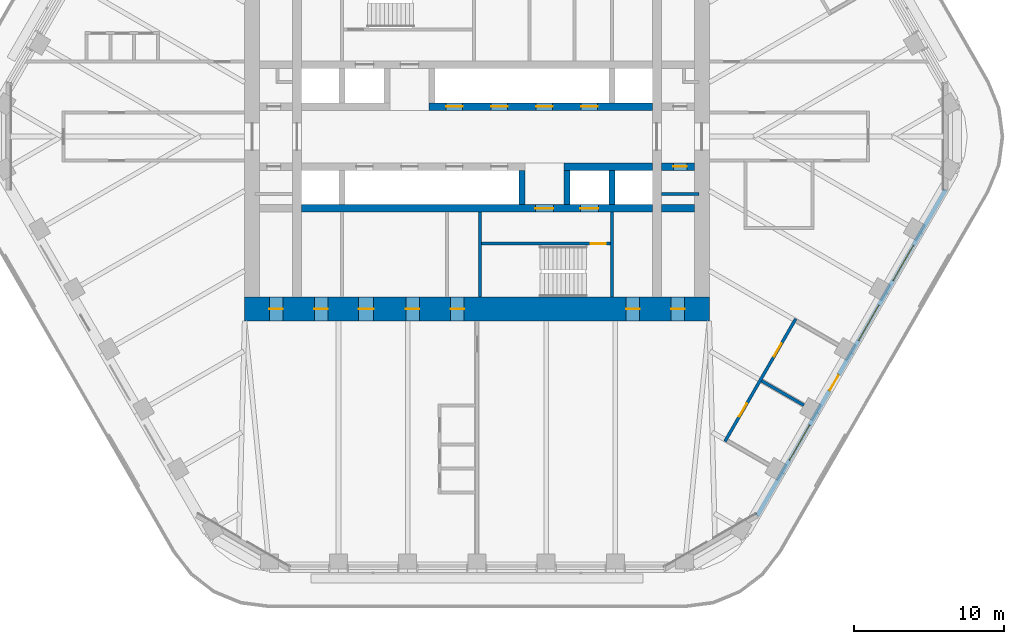
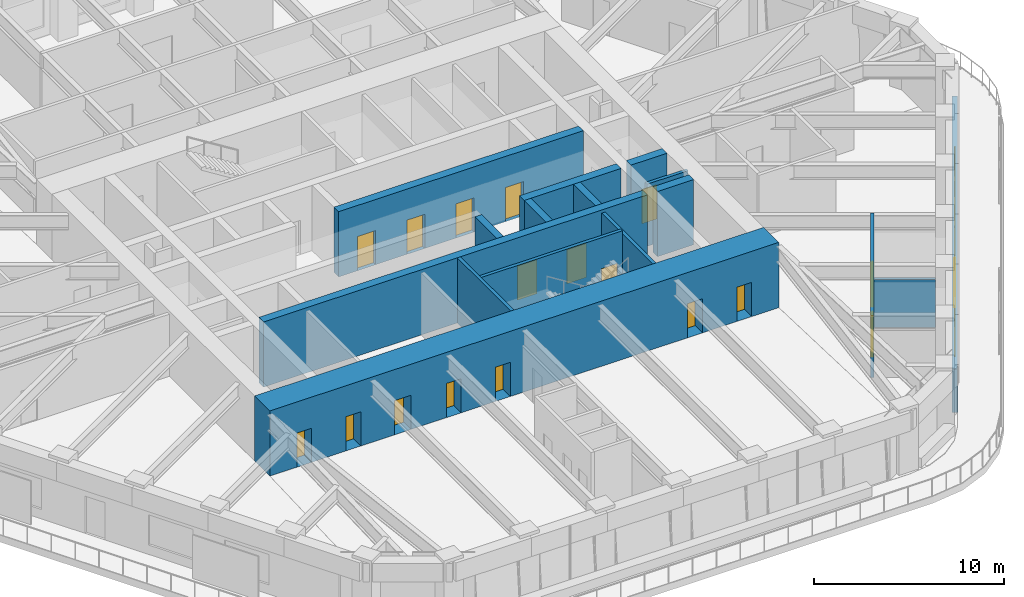
# One storey, part 15 of 20: 18 doors, 16 walls, 3 windows, 21 openings.
"""IFC4 building model written with IfcOpenShell, lengths in metres."""

from ifc_helpers import new_model, si_unit, direction, frame, frame_2d, origin, place, context, subcontext, project, spatial, rectangle, extrude, material, layer, layer_set, type_object, element, fill, save


model = new_model("IFC4")

# Units and contexts
model_context = context("Model", 3, precision=1e-05, world=origin(), true_north=direction((0.0, 1.0)))
body_context = subcontext(model_context, "Body", "Model", "MODEL_VIEW")
ifc_project = project(units=[si_unit("LENGTHUNIT", "METRE"), si_unit("AREAUNIT", "SQUARE_METRE"), si_unit("VOLUMEUNIT", "CUBIC_METRE"), si_unit("PLANEANGLEUNIT", "RADIAN"), si_unit("MASSUNIT", "GRAM", prefix="KILO")], contexts=[model_context])

# Site, building, storey
site_placement = place(None, origin())
site = spatial("IfcSite", under=ifc_project, at=site_placement, CompositionType="ELEMENT")
building_placement = place(site_placement, origin())
building = spatial("IfcBuilding", under=site, at=building_placement, Name="Tarfa Lantern Tower", CompositionType="ELEMENT")
storey_placement = place(building_placement, frame((0.0, 0.0, 274.300048828125)))
storey = spatial("IfcBuildingStorey", under=building, at=storey_placement, Name="L62", CompositionType="ELEMENT", Elevation=274.300048828125)

# Wall, openings, door, windows
ifc_material_1 = material(Name="Limestone cladding on blockwork", Category="masonry")
ifc_layer_1 = layer(ifc_material_1, 0.300048828125)
ifc_layer_set_1 = layer_set([ifc_layer_1], Name="EW1 STONE-CLAD WALL 300")
wall_type_1 = type_object("IfcWallType", Name="EW1 STONE-CLAD WALL 300", PredefinedType="SOLIDWALL", material=ifc_layer_set_1)
wall_1_placement = place(storey_placement, frame((18.70654296875, -25.299072265625, 0.0), z_axis=(0.0, 0.0, 1.0), x_axis=(0.500000442367, 0.866025148383, 0.0)))
wall_1 = element("IfcWall", 1, at=wall_1_placement, inside=storey, type_object=wall_type_1, Name="Stone wall SE", PredefinedType="SOLIDWALL", context=body_context, shape_type="SweptSolid", body=[
    extrude(rectangle(XDim=25.11279296875, YDim=0.300048828125, at=frame_2d((12.556396484375, 0.0))), origin(), (0.0, 0.0, 1.0), 2.800048828125),
])
opening_1_placement = place(wall_1_placement, frame((4.2783203125, 0.0, 0.60009765625)))
opening_1 = element("IfcOpeningElement", 2, at=opening_1_placement, cuts=wall_1, Name="Opening W14", PredefinedType="OPENING", context=body_context, shape_type="SweptSolid", body=[
    extrude(rectangle(XDim=2.699951171875, YDim=1.949951171875, at=frame_2d((1.35009765625, 0.97509765625))), frame((0.0, 0.159912109375, 0.0), z_axis=(0.0, -1.0, 0.0), x_axis=(1.0, 0.0, 0.0)), (0.0, 0.0, 1.0), 0.320068359375),
])
opening_2_placement = place(wall_1_placement, frame((9.64697265625, 0.0, 0.0)))
opening_2 = element("IfcOpeningElement", 3, at=opening_2_placement, cuts=wall_1, Name="Opening D51", PredefinedType="OPENING", context=body_context, shape_type="SweptSolid", body=[
    extrude(rectangle(XDim=1.199951171875, YDim=2.39990234375, at=frame_2d((0.60009765625, 1.199951171875))), frame((0.0, 0.159912109375, 0.0), z_axis=(0.0, -1.0, 0.0), x_axis=(1.0, 0.0, 0.0)), (0.0, 0.0, 1.0), 0.320068359375),
])
opening_3_placement = place(wall_1_placement, frame((13.515869140625, 0.0, 0.60009765625)))
opening_3 = element("IfcOpeningElement", 4, at=opening_3_placement, cuts=wall_1, Name="Opening W14", PredefinedType="OPENING", context=body_context, shape_type="SweptSolid", body=[
    extrude(rectangle(XDim=2.699951171875, YDim=1.949951171875, at=frame_2d((1.35009765625, 0.97509765625))), frame((0.0, 0.159912109375, 0.0), z_axis=(0.0, -1.0, 0.0), x_axis=(1.0, 0.0, 0.0)), (0.0, 0.0, 1.0), 0.320068359375),
])
opening_4_placement = place(wall_1_placement, frame((18.134521484375, 0.0, 0.60009765625)))
opening_4 = element("IfcOpeningElement", 5, at=opening_4_placement, cuts=wall_1, Name="Opening W14", PredefinedType="OPENING", context=body_context, shape_type="SweptSolid", body=[
    extrude(rectangle(XDim=2.699951171875, YDim=1.949951171875, at=frame_2d((1.35009765625, 0.97509765625))), frame((0.0, 0.159912109375, 0.0), z_axis=(0.0, -1.0, 0.0), x_axis=(1.0, 0.0, 0.0)), (0.0, 0.0, 1.0), 0.320068359375),
])
ifc_material_2 = material(Name="Aluminium framed glazed door", Category="aluminium")
door_type_1 = type_object("IfcDoorType", Name="BE3 BALCONY DOOR 1200x2400", OperationType="SINGLE_SWING_RIGHT", PredefinedType="DOOR", material=ifc_material_2)
door_1_placement = place(opening_2_placement, origin())
door_1 = element("IfcDoor", 6, at=door_1_placement, inside=storey, type_object=door_type_1, Name="Balcony door SE", OperationType="SINGLE_SWING_RIGHT", OverallHeight=2.39990234375, OverallWidth=1.199951171875, PredefinedType="DOOR", context=body_context, shape_type="SweptSolid", body=[
    extrude(rectangle(XDim=1.199951171875, YDim=2.39990234375, at=frame_2d((0.60009765625, 1.199951171875))), frame((0.0, 0.02490234375, 0.0), z_axis=(0.0, -1.0, 0.0), x_axis=(1.0, 0.0, 0.0)), (0.0, 0.0, 1.0), 0.050048828125),
])
fill(opening_2, door_1)
ifc_material_3 = material(Name="Aluminium frame, double glazed", Category="aluminium")
window_type = type_object("IfcWindowType", Name="W14 FULL-HEIGHT GLAZING 2700x1950", PartitioningType="SINGLE_PANEL", PredefinedType="WINDOW", material=ifc_material_3)
window_1_placement = place(opening_1_placement, origin())
window_1 = element("IfcWindow", 7, at=window_1_placement, inside=storey, type_object=window_type, Name="Window SE 2", OverallHeight=1.949951171875, OverallWidth=2.699951171875, PartitioningType="SINGLE_PANEL", PredefinedType="WINDOW", context=body_context, shape_type="SweptSolid", body=[
    extrude(rectangle(XDim=2.699951171875, YDim=1.949951171875, at=frame_2d((1.35009765625, 0.97509765625))), frame((0.0, 0.030029296875, 0.0), z_axis=(0.0, -1.0, 0.0), x_axis=(1.0, 0.0, 0.0)), (0.0, 0.0, 1.0), 0.06005859375),
])
fill(opening_1, window_1)
window_2_placement = place(opening_3_placement, origin())
window_2 = element("IfcWindow", 8, at=window_2_placement, inside=storey, type_object=window_type, Name="Window SE 4", OverallHeight=1.949951171875, OverallWidth=2.699951171875, PartitioningType="SINGLE_PANEL", PredefinedType="WINDOW", context=body_context, shape_type="SweptSolid", body=[
    extrude(rectangle(XDim=2.699951171875, YDim=1.949951171875, at=frame_2d((1.35009765625, 0.97509765625))), frame((0.0, 0.030029296875, 0.0), z_axis=(0.0, -1.0, 0.0), x_axis=(1.0, 0.0, 0.0)), (0.0, 0.0, 1.0), 0.06005859375),
])
fill(opening_3, window_2)
window_3_placement = place(opening_4_placement, origin())
window_3 = element("IfcWindow", 9, at=window_3_placement, inside=storey, type_object=window_type, Name="Window SE 5", OverallHeight=1.949951171875, OverallWidth=2.699951171875, PartitioningType="SINGLE_PANEL", PredefinedType="WINDOW", context=body_context, shape_type="SweptSolid", body=[
    extrude(rectangle(XDim=2.699951171875, YDim=1.949951171875, at=frame_2d((1.35009765625, 0.97509765625))), frame((0.0, 0.030029296875, 0.0), z_axis=(0.0, -1.0, 0.0), x_axis=(1.0, 0.0, 0.0)), (0.0, 0.0, 1.0), 0.06005859375),
])
fill(opening_4, window_3)

# Walls
ifc_material_4 = material(Name="Concrete blockwork", Category="masonry")
ifc_layer_2 = layer(ifc_material_4, 0.199951171875)
ifc_layer_set_2 = layer_set([ifc_layer_2], Name="IW1 BLOCKWORK PARTITION 200 EI 120")
wall_type_2 = type_object("IfcWallType", Name="IW1 BLOCKWORK PARTITION 200 EI 120", PredefinedType="PARTITIONING", material=ifc_layer_set_2)
wall_2_placement = place(storey_placement, frame((9.0, -5.050048828125, 0.0), z_axis=(0.0, 0.0, 1.0), x_axis=(0.0, -1.0, 0.0)))
element("IfcWall", 10, at=wall_2_placement, inside=storey, type_object=wall_type_2, Name="Core partition", PredefinedType="PARTITIONING", context=body_context, shape_type="SweptSolid", body=[
    extrude(rectangle(XDim=5.64990234375, YDim=0.199951171875, at=frame_2d((2.824951171875, 0.0))), origin(), (0.0, 0.0, 1.0), 4.0),
])
wall_3_placement = place(storey_placement, frame((14.800048828125, -3.85009765625, 0.0), z_axis=(0.0, 0.0, 1.0), x_axis=(-1.0, 0.0, 0.0)))
element("IfcWall", 11, at=wall_3_placement, inside=storey, type_object=wall_type_2, Name="Core partition", PredefinedType="PARTITIONING", context=body_context, shape_type="SweptSolid", body=[
    extrude(rectangle(XDim=2.5, YDim=0.199951171875, at=frame_2d((1.25, 0.0))), origin(), (0.0, 0.0, 1.0), 4.0),
])

# Wall, openings, doors
ifc_material_5 = material(Name="Gypsum board on steel studs", Category="steel")
ifc_layer_3 = layer(ifc_material_5, 0.2099609375)
ifc_layer_set_3 = layer_set([ifc_layer_3], Name="IW2 ACOUSTIC PARTITION 200")
wall_type_3 = type_object("IfcWallType", Name="IW2 ACOUSTIC PARTITION 200", PredefinedType="PARTITIONING", material=ifc_layer_set_3)
wall_4_placement = place(storey_placement, frame((16.548828125, -20.336669921875, 0.0), z_axis=(0.0, 0.0, 1.0), x_axis=(0.499989672313, 0.866031366395, 0.0)))
wall_4 = element("IfcWall", 12, at=wall_4_placement, inside=storey, type_object=wall_type_3, Name="Partition", PredefinedType="PARTITIONING", context=body_context, shape_type="SweptSolid", body=[
    extrude(rectangle(XDim=9.437744140625, YDim=0.199951171875, at=frame_2d((4.71875, 0.0))), origin(), (0.0, 0.0, 1.0), 4.0),
])
opening_5_placement = place(wall_4_placement, frame((1.909423828125, 0.0, 0.0)))
opening_5 = element("IfcOpeningElement", 13, at=opening_5_placement, cuts=wall_4, Name="Opening D31", PredefinedType="OPENING", context=body_context, shape_type="SweptSolid", body=[
    extrude(rectangle(XDim=1.0, YDim=2.199951171875, at=frame_2d((0.5, 1.10009765625))), frame((0.0, 0.10986328125, 0.0), z_axis=(0.0, -1.0, 0.0), x_axis=(1.0, 0.0, 0.0)), (0.0, 0.0, 1.0), 0.219970703125),
])
opening_6_placement = place(wall_4_placement, frame((6.5283203125, 0.0, 0.0)))
opening_6 = element("IfcOpeningElement", 14, at=opening_6_placement, cuts=wall_4, Name="Opening D32", PredefinedType="OPENING", context=body_context, shape_type="SweptSolid", body=[
    extrude(rectangle(XDim=1.0, YDim=2.199951171875, at=frame_2d((0.5, 1.10009765625))), frame((0.0, 0.10986328125, 0.0), z_axis=(0.0, -1.0, 0.0), x_axis=(1.0, 0.0, 0.0)), (0.0, 0.0, 1.0), 0.219970703125),
])
ifc_material_6 = material(Name="Timber door", Category="wood")
door_type_2 = type_object("IfcDoorType", Name="DR1 ROOM DOOR 1000x2200", OperationType="SINGLE_SWING_LEFT", PredefinedType="DOOR", material=ifc_material_6)
door_2_placement = place(opening_5_placement, frame((1.0, 0.0, 0.0), z_axis=(0.0, 0.0, 1.0), x_axis=(-1.0, 0.0, 0.0)))
door_2 = element("IfcDoor", 15, at=door_2_placement, inside=storey, type_object=door_type_2, Name="Office door", OperationType="SINGLE_SWING_LEFT", OverallHeight=2.199951171875, OverallWidth=1.0, PredefinedType="DOOR", context=body_context, shape_type="SweptSolid", body=[
    extrude(rectangle(XDim=1.0, YDim=2.199951171875, at=frame_2d((0.5, 1.10009765625))), frame((0.0, 0.02490234375, 0.0), z_axis=(0.0, -1.0, 0.0), x_axis=(1.0, 0.0, 0.0)), (0.0, 0.0, 1.0), 0.050048828125),
])
fill(opening_5, door_2)
door_3_placement = place(opening_6_placement, frame((1.0, 0.0, 0.0), z_axis=(0.0, 0.0, 1.0), x_axis=(-1.0, 0.0, 0.0)))
door_3 = element("IfcDoor", 16, at=door_3_placement, inside=storey, type_object=door_type_2, Name="Office door", OperationType="SINGLE_SWING_RIGHT", OverallHeight=2.199951171875, OverallWidth=1.0, PredefinedType="DOOR", context=body_context, shape_type="SweptSolid", body=[
    extrude(rectangle(XDim=1.0, YDim=2.199951171875, at=frame_2d((0.5, 1.10009765625))), frame((0.0, 0.02490234375, 0.0), z_axis=(0.0, -1.0, 0.0), x_axis=(1.0, 0.0, 0.0)), (0.0, 0.0, 1.0), 0.050048828125),
])
fill(opening_6, door_3)

# Walls
wall_5_placement = place(storey_placement, frame((18.994873046875, -16.300048828125, 0.0), z_axis=(0.0, 0.0, 1.0), x_axis=(0.866015446554, -0.500017246033, 0.0)))
element("IfcWall", 17, at=wall_5_placement, inside=storey, type_object=wall_type_3, Name="Partition", PredefinedType="PARTITIONING", context=body_context, shape_type="SweptSolid", body=[
    extrude(rectangle(XDim=3.25, YDim=0.199951171875, at=frame_2d((1.625, 0.0))), origin(), (0.0, 0.0, 1.0), 3.08154296875),
])
ifc_material_7 = material(Name="Concrete C80/95", Category="concrete")
ifc_layer_4 = layer(ifc_material_7, 0.199951171875)
ifc_layer_set_4 = layer_set([ifc_layer_4], Name="SW12 CORE WALL 200")
wall_type_4 = type_object("IfcWallType", Name="SW12 CORE WALL 200", PredefinedType="SHEAR", material=ifc_layer_set_4)
wall_6_placement = place(storey_placement, frame((0.199951171875, -5.050048828125, 0.0), z_axis=(0.0, 0.0, 1.0), x_axis=(0.0, -1.0, 0.0)))
element("IfcWall", 18, at=wall_6_placement, inside=storey, type_object=wall_type_4, Name="Core wall stair shaft S", PredefinedType="SHEAR", context=body_context, shape_type="SweptSolid", body=[
    extrude(rectangle(XDim=5.64990234375, YDim=0.199951171875, at=frame_2d((2.824951171875, 0.0))), origin(), (0.0, 0.0, 1.0), 4.199951171875),
])

# Wall, opening, door
wall_7_placement = place(storey_placement, frame((8.89990234375, -7.14990234375, 0.0), z_axis=(0.0, 0.0, 1.0), x_axis=(-1.0, 0.0, 0.0)))
wall_7 = element("IfcWall", 19, at=wall_7_placement, inside=storey, type_object=wall_type_4, Name="Core wall stair partition S", PredefinedType="SHEAR", context=body_context, shape_type="SweptSolid", body=[
    extrude(rectangle(XDim=8.599853515625, YDim=0.199951171875, at=frame_2d((4.2998046875, 0.0))), origin(), (0.0, 0.0, 1.0), 4.199951171875),
])
opening_7_placement = place(wall_7_placement, frame((0.300048828125, 0.0, 0.0)))
opening_7 = element("IfcOpeningElement", 20, at=opening_7_placement, cuts=wall_7, Name="Opening D24", PredefinedType="OPENING", context=body_context, shape_type="SweptSolid", body=[
    extrude(rectangle(XDim=1.0, YDim=2.199951171875, at=frame_2d((0.5, 1.10009765625))), frame((0.0, 0.10986328125, 0.0), z_axis=(0.0, -1.0, 0.0), x_axis=(1.0, 0.0, 0.0)), (0.0, 0.0, 1.0), 0.219970703125),
])
ifc_material_8 = material(Name="Steel fire door", Category="steel")
door_type_3 = type_object("IfcDoorType", Name="DF2 STAIR DOOR 1000x2200", OperationType="SINGLE_SWING_LEFT", PredefinedType="DOOR", material=ifc_material_8)
door_4_placement = place(opening_7_placement, origin())
door_4 = element("IfcDoor", 21, at=door_4_placement, inside=storey, type_object=door_type_3, Name="Stair door", OperationType="SINGLE_SWING_RIGHT", OverallHeight=2.199951171875, OverallWidth=1.0, PredefinedType="DOOR", context=body_context, shape_type="SweptSolid", body=[
    extrude(rectangle(XDim=1.0, YDim=2.199951171875, at=frame_2d((0.5, 1.10009765625))), frame((0.0, 0.02490234375, 0.0), z_axis=(0.0, -1.0, 0.0), x_axis=(1.0, 0.0, 0.0)), (0.0, 0.0, 1.0), 0.050048828125),
])
fill(opening_7, door_4)

# Wall, openings, doors
ifc_layer_5 = layer(ifc_material_7, 0.5)
ifc_layer_set_5 = layer_set([ifc_layer_5], Name="SW5 CORE WALL 500")
wall_type_5 = type_object("IfcWallType", Name="SW5 CORE WALL 500", PredefinedType="SHEAR", material=ifc_layer_set_5)
wall_8_placement = place(storey_placement, frame((-3.199951171875, 2.0, 0.0), z_axis=(0.0, 0.0, 1.0), x_axis=(1.0, 0.0, 0.0)))
wall_8 = element("IfcWall", 22, at=wall_8_placement, inside=storey, type_object=wall_type_5, Name="Core wall lobby east N", PredefinedType="SHEAR", context=body_context, shape_type="SweptSolid", body=[
    extrude(rectangle(XDim=14.89990234375, YDim=0.5, at=frame_2d((7.449951171875, 0.0))), origin(), (0.0, 0.0, 1.0), 4.199951171875),
])
opening_8_placement = place(wall_8_placement, frame((1.14990234375, 0.0, 0.0)))
opening_8 = element("IfcOpeningElement", 23, at=opening_8_placement, cuts=wall_8, Name="Opening LD03", PredefinedType="OPENING", context=body_context, shape_type="SweptSolid", body=[
    extrude(rectangle(XDim=1.10009765625, YDim=2.199951171875, at=frame_2d((0.550048828125, 1.10009765625))), frame((0.0, 0.260009765625, 0.0), z_axis=(0.0, -1.0, 0.0), x_axis=(1.0, 0.0, 0.0)), (0.0, 0.0, 1.0), 0.52001953125),
])
opening_9_placement = place(wall_8_placement, frame((4.14990234375, 0.0, 0.0)))
opening_9 = element("IfcOpeningElement", 24, at=opening_9_placement, cuts=wall_8, Name="Opening LD04", PredefinedType="OPENING", context=body_context, shape_type="SweptSolid", body=[
    extrude(rectangle(XDim=1.10009765625, YDim=2.199951171875, at=frame_2d((0.550048828125, 1.10009765625))), frame((0.0, 0.260009765625, 0.0), z_axis=(0.0, -1.0, 0.0), x_axis=(1.0, 0.0, 0.0)), (0.0, 0.0, 1.0), 0.52001953125),
])
opening_10_placement = place(wall_8_placement, frame((7.14990234375, 0.0, 0.0)))
opening_10 = element("IfcOpeningElement", 25, at=opening_10_placement, cuts=wall_8, Name="Opening LD05", PredefinedType="OPENING", context=body_context, shape_type="SweptSolid", body=[
    extrude(rectangle(XDim=1.10009765625, YDim=2.199951171875, at=frame_2d((0.550048828125, 1.10009765625))), frame((0.0, 0.260009765625, 0.0), z_axis=(0.0, -1.0, 0.0), x_axis=(1.0, 0.0, 0.0)), (0.0, 0.0, 1.0), 0.52001953125),
])
opening_11_placement = place(wall_8_placement, frame((10.14990234375, 0.0, 0.0)))
opening_11 = element("IfcOpeningElement", 26, at=opening_11_placement, cuts=wall_8, Name="Opening LD06", PredefinedType="OPENING", context=body_context, shape_type="SweptSolid", body=[
    extrude(rectangle(XDim=1.10009765625, YDim=2.199951171875, at=frame_2d((0.550048828125, 1.10009765625))), frame((0.0, 0.260009765625, 0.0), z_axis=(0.0, -1.0, 0.0), x_axis=(1.0, 0.0, 0.0)), (0.0, 0.0, 1.0), 0.52001953125),
])
ifc_material_9 = material(Name="Stainless steel lift door", Category="steel")
door_type_4 = type_object("IfcDoorType", Name="LD2 LIFT LANDING DOOR 1100x2200", OperationType="SLIDING_TO_LEFT", PredefinedType="DOOR", material=ifc_material_9)
door_5_placement = place(opening_8_placement, frame((1.10009765625, 0.0, 0.0), z_axis=(0.0, 0.0, 1.0), x_axis=(-1.0, 0.0, 0.0)))
door_5 = element("IfcDoor", 27, at=door_5_placement, inside=storey, type_object=door_type_4, Name="Landing door PC1", OperationType="SLIDING_TO_LEFT", OverallHeight=2.199951171875, OverallWidth=1.10009765625, PredefinedType="DOOR", context=body_context, shape_type="SweptSolid", body=[
    extrude(rectangle(XDim=1.10009765625, YDim=2.199951171875, at=frame_2d((0.550048828125, 1.10009765625))), frame((0.0, 0.02490234375, 0.0), z_axis=(0.0, -1.0, 0.0), x_axis=(1.0, 0.0, 0.0)), (0.0, 0.0, 1.0), 0.050048828125),
])
fill(opening_8, door_5)
door_6_placement = place(opening_9_placement, frame((1.10009765625, 0.0, 0.0), z_axis=(0.0, 0.0, 1.0), x_axis=(-1.0, 0.0, 0.0)))
door_6 = element("IfcDoor", 28, at=door_6_placement, inside=storey, type_object=door_type_4, Name="Landing door PC2", OperationType="SLIDING_TO_LEFT", OverallHeight=2.199951171875, OverallWidth=1.10009765625, PredefinedType="DOOR", context=body_context, shape_type="SweptSolid", body=[
    extrude(rectangle(XDim=1.10009765625, YDim=2.199951171875, at=frame_2d((0.550048828125, 1.10009765625))), frame((0.0, 0.02490234375, 0.0), z_axis=(0.0, -1.0, 0.0), x_axis=(1.0, 0.0, 0.0)), (0.0, 0.0, 1.0), 0.050048828125),
])
fill(opening_9, door_6)
door_7_placement = place(opening_10_placement, frame((1.10009765625, 0.0, 0.0), z_axis=(0.0, 0.0, 1.0), x_axis=(-1.0, 0.0, 0.0)))
door_7 = element("IfcDoor", 29, at=door_7_placement, inside=storey, type_object=door_type_4, Name="Landing door PC3", OperationType="SLIDING_TO_LEFT", OverallHeight=2.199951171875, OverallWidth=1.10009765625, PredefinedType="DOOR", context=body_context, shape_type="SweptSolid", body=[
    extrude(rectangle(XDim=1.10009765625, YDim=2.199951171875, at=frame_2d((0.550048828125, 1.10009765625))), frame((0.0, 0.02490234375, 0.0), z_axis=(0.0, -1.0, 0.0), x_axis=(1.0, 0.0, 0.0)), (0.0, 0.0, 1.0), 0.050048828125),
])
fill(opening_10, door_7)
door_8_placement = place(opening_11_placement, frame((1.10009765625, 0.0, 0.0), z_axis=(0.0, 0.0, 1.0), x_axis=(-1.0, 0.0, 0.0)))
door_8 = element("IfcDoor", 30, at=door_8_placement, inside=storey, type_object=door_type_4, Name="Landing door PC4", OperationType="SLIDING_TO_LEFT", OverallHeight=2.199951171875, OverallWidth=1.10009765625, PredefinedType="DOOR", context=body_context, shape_type="SweptSolid", body=[
    extrude(rectangle(XDim=1.10009765625, YDim=2.199951171875, at=frame_2d((0.550048828125, 1.10009765625))), frame((0.0, 0.02490234375, 0.0), z_axis=(0.0, -1.0, 0.0), x_axis=(1.0, 0.0, 0.0)), (0.0, 0.0, 1.0), 0.050048828125),
])
fill(opening_11, door_8)

# Wall, opening, door
wall_9_placement = place(storey_placement, frame((14.5, -2.0, 0.0), z_axis=(0.0, 0.0, 1.0), x_axis=(-1.0, 0.0, 0.0)))
wall_9 = element("IfcWall", 31, at=wall_9_placement, inside=storey, type_object=wall_type_5, Name="Core wall lobby west S", PredefinedType="SHEAR", context=body_context, shape_type="SweptSolid", body=[
    extrude(rectangle(XDim=2.199951171875, YDim=0.5, at=frame_2d((1.10009765625, 0.0))), origin(), (0.0, 0.0, 1.0), 4.199951171875),
])
opening_12_placement = place(wall_9_placement, frame((0.5, 0.0, 0.0)))
opening_12 = element("IfcOpeningElement", 32, at=opening_12_placement, cuts=wall_9, Name="Opening D16", PredefinedType="OPENING", context=body_context, shape_type="SweptSolid", body=[
    extrude(rectangle(XDim=0.89990234375, YDim=2.199951171875, at=frame_2d((0.449951171875, 1.10009765625))), frame((0.0, 0.260009765625, 0.0), z_axis=(0.0, -1.0, 0.0), x_axis=(1.0, 0.0, 0.0)), (0.0, 0.0, 1.0), 0.52001953125),
])
door_type_5 = type_object("IfcDoorType", Name="DF6 SERVICE ROOM DOOR 900x2200", OperationType="SINGLE_SWING_LEFT", PredefinedType="DOOR", material=ifc_material_8)
door_9_placement = place(opening_12_placement, origin())
door_9 = element("IfcDoor", 33, at=door_9_placement, inside=storey, type_object=door_type_5, Name="Service room door", OperationType="SINGLE_SWING_RIGHT", OverallHeight=2.199951171875, OverallWidth=0.89990234375, PredefinedType="DOOR", context=body_context, shape_type="SweptSolid", body=[
    extrude(rectangle(XDim=0.89990234375, YDim=2.199951171875, at=frame_2d((0.449951171875, 1.10009765625))), frame((0.0, 0.02490234375, 0.0), z_axis=(0.0, -1.0, 0.0), x_axis=(1.0, 0.0, 0.0)), (0.0, 0.0, 1.0), 0.050048828125),
])
fill(opening_12, door_9)

# Walls
wall_10_placement = place(storey_placement, frame((11.699951171875, -2.0, 0.0), z_axis=(0.0, 0.0, 1.0), x_axis=(-1.0, 0.0, 0.0)))
element("IfcWall", 34, at=wall_10_placement, inside=storey, type_object=wall_type_5, Name="Core wall lobby west S", PredefinedType="SHEAR", context=body_context, shape_type="SweptSolid", body=[
    extrude(rectangle(XDim=5.89990234375, YDim=0.5, at=frame_2d((2.949951171875, 0.0))), origin(), (0.0, 0.0, 1.0), 4.199951171875),
])
wall_11_placement = place(storey_placement, frame((14.5, -4.800048828125, 0.0), z_axis=(0.0, 0.0, 1.0), x_axis=(-1.0, 0.0, 0.0)))
element("IfcWall", 35, at=wall_11_placement, inside=storey, type_object=wall_type_5, Name="Core wall rear S", PredefinedType="SHEAR", context=body_context, shape_type="SweptSolid", body=[
    extrude(rectangle(XDim=2.199951171875, YDim=0.5, at=frame_2d((1.10009765625, 0.0))), origin(), (0.0, 0.0, 1.0), 4.199951171875),
])

# Wall, openings, doors
wall_12_placement = place(storey_placement, frame((11.699951171875, -4.800048828125, 0.0), z_axis=(0.0, 0.0, 1.0), x_axis=(-1.0, 0.0, 0.0)))
wall_12 = element("IfcWall", 36, at=wall_12_placement, inside=storey, type_object=wall_type_5, Name="Core wall rear S", PredefinedType="SHEAR", context=body_context, shape_type="SweptSolid", body=[
    extrude(rectangle(XDim=23.39990234375, YDim=0.5, at=frame_2d((11.699951171875, 0.0))), origin(), (0.0, 0.0, 1.0), 4.199951171875),
])
opening_13_placement = place(wall_12_placement, frame((6.60009765625, 0.0, 0.0)))
opening_13 = element("IfcOpeningElement", 37, at=opening_13_placement, cuts=wall_12, Name="Opening D10", PredefinedType="OPENING", context=body_context, shape_type="SweptSolid", body=[
    extrude(rectangle(XDim=1.199951171875, YDim=2.199951171875, at=frame_2d((0.60009765625, 1.10009765625))), frame((0.0, 0.260009765625, 0.0), z_axis=(0.0, -1.0, 0.0), x_axis=(1.0, 0.0, 0.0)), (0.0, 0.0, 1.0), 0.52001953125),
])
opening_14_placement = place(wall_12_placement, frame((3.60009765625, 0.0, 0.0)))
opening_14 = element("IfcOpeningElement", 38, at=opening_14_placement, cuts=wall_12, Name="Opening LD02", PredefinedType="OPENING", context=body_context, shape_type="SweptSolid", body=[
    extrude(rectangle(XDim=1.199951171875, YDim=2.199951171875, at=frame_2d((0.60009765625, 1.10009765625))), frame((0.0, 0.260009765625, 0.0), z_axis=(0.0, -1.0, 0.0), x_axis=(1.0, 0.0, 0.0)), (0.0, 0.0, 1.0), 0.52001953125),
])
door_type_6 = type_object("IfcDoorType", Name="DF1 FIREFIGHTING LOBBY DOOR 1200x2200", OperationType="SINGLE_SWING_LEFT", PredefinedType="DOOR", material=ifc_material_8)
door_10_placement = place(opening_13_placement, origin())
door_10 = element("IfcDoor", 39, at=door_10_placement, inside=storey, type_object=door_type_6, Name="Firefighting lobby door", OperationType="SINGLE_SWING_LEFT", OverallHeight=2.199951171875, OverallWidth=1.199951171875, PredefinedType="DOOR", context=body_context, shape_type="SweptSolid", body=[
    extrude(rectangle(XDim=1.199951171875, YDim=2.199951171875, at=frame_2d((0.60009765625, 1.10009765625))), frame((0.0, 0.02490234375, 0.0), z_axis=(0.0, -1.0, 0.0), x_axis=(1.0, 0.0, 0.0)), (0.0, 0.0, 1.0), 0.050048828125),
])
fill(opening_13, door_10)
door_type_7 = type_object("IfcDoorType", Name="LD1 LIFT LANDING DOOR 1200x2200", OperationType="SLIDING_TO_LEFT", PredefinedType="DOOR", material=ifc_material_9)
door_11_placement = place(opening_14_placement, origin())
door_11 = element("IfcDoor", 40, at=door_11_placement, inside=storey, type_object=door_type_7, Name="Landing door FL2", OperationType="SLIDING_TO_LEFT", OverallHeight=2.199951171875, OverallWidth=1.199951171875, PredefinedType="DOOR", context=body_context, shape_type="SweptSolid", body=[
    extrude(rectangle(XDim=1.199951171875, YDim=2.199951171875, at=frame_2d((0.60009765625, 1.10009765625))), frame((0.0, 0.02490234375, 0.0), z_axis=(0.0, -1.0, 0.0), x_axis=(1.0, 0.0, 0.0)), (0.0, 0.0, 1.0), 0.050048828125),
])
fill(opening_14, door_11)

# Walls
ifc_layer_6 = layer(ifc_material_7, 0.39990234375)
ifc_layer_set_6 = layer_set([ifc_layer_6], Name="SW6 CORE WALL 400")
wall_type_6 = type_object("IfcWallType", Name="SW6 CORE WALL 400", PredefinedType="SHEAR", material=ifc_layer_set_6)
for number, where, z_axis, x_axis, name in (
    (41, (9.0, -2.25, 0.0), (0.0, 0.0, 1.0), (0.0, -1.0, 0.0), "Core wall divider S"),
    (42, (6.0, -2.25, 0.0), (0.0, 0.0, 1.0), (0.0, -1.0, 0.0), "Core wall divider S"),
    (43, (3.0, -2.25, 0.0), (0.0, 0.0, 1.0), (0.0, -1.0, 0.0), "Core wall divider S"),
):
    element("IfcWall", number, at=place(storey_placement, frame(where, z_axis=z_axis, x_axis=x_axis)), inside=storey, type_object=wall_type_6, Name=name, PredefinedType="SHEAR", context=body_context, shape_type="SweptSolid", body=[
        extrude(rectangle(XDim=2.300048828125, YDim=0.39990234375, at=frame_2d((1.14990234375, 0.0))), origin(), (0.0, 0.0, 1.0), 4.199951171875),
    ])

# Wall, openings, doors
ifc_layer_7 = layer(ifc_material_7, 1.60009765625)
ifc_layer_set_7 = layer_set([ifc_layer_7], Name="SW7 CORE WALL 1600")
wall_type_7 = type_object("IfcWallType", Name="SW7 CORE WALL 1600", PredefinedType="SHEAR", material=ifc_layer_set_7)
wall_13_placement = place(storey_placement, frame((15.5, -11.5, 0.0), z_axis=(0.0, 0.0, 1.0), x_axis=(-1.0, 0.0, 0.0)))
wall_13 = element("IfcWall", 44, at=wall_13_placement, inside=storey, type_object=wall_type_7, Name="Core wall S", PredefinedType="SHEAR", context=body_context, shape_type="SweptSolid", body=[
    extrude(rectangle(XDim=31.0, YDim=1.60009765625, at=frame_2d((15.5, 0.0))), origin(), (0.0, 0.0, 1.0), 4.199951171875),
])
opening_15_placement = place(wall_13_placement, frame((16.35009765625, 0.0, 0.0)))
opening_15 = element("IfcOpeningElement", 45, at=opening_15_placement, cuts=wall_13, Name="Opening D18", PredefinedType="OPENING", context=body_context, shape_type="SweptSolid", body=[
    extrude(rectangle(XDim=0.89990234375, YDim=2.199951171875, at=frame_2d((0.449951171875, 1.10009765625))), frame((0.0, 0.81005859375, 0.0), z_axis=(0.0, -1.0, 0.0), x_axis=(1.0, 0.0, 0.0)), (0.0, 0.0, 1.0), 1.6201171875),
])
opening_16_placement = place(wall_13_placement, frame((19.35009765625, 0.0, 0.0)))
opening_16 = element("IfcOpeningElement", 46, at=opening_16_placement, cuts=wall_13, Name="Opening D20", PredefinedType="OPENING", context=body_context, shape_type="SweptSolid", body=[
    extrude(rectangle(XDim=0.89990234375, YDim=2.199951171875, at=frame_2d((0.449951171875, 1.10009765625))), frame((0.0, 0.81005859375, 0.0), z_axis=(0.0, -1.0, 0.0), x_axis=(1.0, 0.0, 0.0)), (0.0, 0.0, 1.0), 1.6201171875),
])
opening_17_placement = place(wall_13_placement, frame((22.39990234375, 0.0, 0.0)))
opening_17 = element("IfcOpeningElement", 47, at=opening_17_placement, cuts=wall_13, Name="Opening D22", PredefinedType="OPENING", context=body_context, shape_type="SweptSolid", body=[
    extrude(rectangle(XDim=1.0, YDim=2.199951171875, at=frame_2d((0.5, 1.10009765625))), frame((0.0, 0.81005859375, 0.0), z_axis=(0.0, -1.0, 0.0), x_axis=(1.0, 0.0, 0.0)), (0.0, 0.0, 1.0), 1.6201171875),
])
opening_18_placement = place(wall_13_placement, frame((1.64990234375, 0.0, 0.0)))
opening_18 = element("IfcOpeningElement", 48, at=opening_18_placement, cuts=wall_13, Name="Opening D08", PredefinedType="OPENING", context=body_context, shape_type="SweptSolid", body=[
    extrude(rectangle(XDim=0.89990234375, YDim=2.199951171875, at=frame_2d((0.449951171875, 1.10009765625))), frame((0.0, 0.81005859375, 0.0), z_axis=(0.0, -1.0, 0.0), x_axis=(1.0, 0.0, 0.0)), (0.0, 0.0, 1.0), 1.6201171875),
])
opening_19_placement = place(wall_13_placement, frame((4.64990234375, 0.0, 0.0)))
opening_19 = element("IfcOpeningElement", 49, at=opening_19_placement, cuts=wall_13, Name="Opening D06", PredefinedType="OPENING", context=body_context, shape_type="SweptSolid", body=[
    extrude(rectangle(XDim=0.89990234375, YDim=2.199951171875, at=frame_2d((0.449951171875, 1.10009765625))), frame((0.0, 0.81005859375, 0.0), z_axis=(0.0, -1.0, 0.0), x_axis=(1.0, 0.0, 0.0)), (0.0, 0.0, 1.0), 1.6201171875),
])
opening_20_placement = place(wall_13_placement, frame((25.449951171875, 0.0, 0.0)))
opening_20 = element("IfcOpeningElement", 50, at=opening_20_placement, cuts=wall_13, Name="Opening D04", PredefinedType="OPENING", context=body_context, shape_type="SweptSolid", body=[
    extrude(rectangle(XDim=0.89990234375, YDim=2.199951171875, at=frame_2d((0.449951171875, 1.10009765625))), frame((0.0, 0.81005859375, 0.0), z_axis=(0.0, -1.0, 0.0), x_axis=(1.0, 0.0, 0.0)), (0.0, 0.0, 1.0), 1.6201171875),
])
opening_21_placement = place(wall_13_placement, frame((28.449951171875, 0.0, 0.0)))
opening_21 = element("IfcOpeningElement", 51, at=opening_21_placement, cuts=wall_13, Name="Opening D02", PredefinedType="OPENING", context=body_context, shape_type="SweptSolid", body=[
    extrude(rectangle(XDim=0.89990234375, YDim=2.199951171875, at=frame_2d((0.449951171875, 1.10009765625))), frame((0.0, 0.81005859375, 0.0), z_axis=(0.0, -1.0, 0.0), x_axis=(1.0, 0.0, 0.0)), (0.0, 0.0, 1.0), 1.6201171875),
])
door_type_8 = type_object("IfcDoorType", Name="DF3 CORE ROOM DOOR 900x2200", OperationType="SINGLE_SWING_LEFT", PredefinedType="DOOR", material=ifc_material_8)
door_12_placement = place(opening_15_placement, frame((0.89990234375, 0.0, 0.0), z_axis=(0.0, 0.0, 1.0), x_axis=(-1.0, 0.0, 0.0)))
door_12 = element("IfcDoor", 52, at=door_12_placement, inside=storey, type_object=door_type_8, Name="Core door", OperationType="SINGLE_SWING_RIGHT", OverallHeight=2.199951171875, OverallWidth=0.89990234375, PredefinedType="DOOR", context=body_context, shape_type="SweptSolid", body=[
    extrude(rectangle(XDim=0.89990234375, YDim=2.199951171875, at=frame_2d((0.449951171875, 1.10009765625))), frame((0.0, 0.02490234375, 0.0), z_axis=(0.0, -1.0, 0.0), x_axis=(1.0, 0.0, 0.0)), (0.0, 0.0, 1.0), 0.050048828125),
])
fill(opening_15, door_12)
door_13_placement = place(opening_16_placement, frame((0.89990234375, 0.0, 0.0), z_axis=(0.0, 0.0, 1.0), x_axis=(-1.0, 0.0, 0.0)))
door_13 = element("IfcDoor", 53, at=door_13_placement, inside=storey, type_object=door_type_8, Name="Core door", OperationType="SINGLE_SWING_LEFT", OverallHeight=2.199951171875, OverallWidth=0.89990234375, PredefinedType="DOOR", context=body_context, shape_type="SweptSolid", body=[
    extrude(rectangle(XDim=0.89990234375, YDim=2.199951171875, at=frame_2d((0.449951171875, 1.10009765625))), frame((0.0, 0.02490234375, 0.0), z_axis=(0.0, -1.0, 0.0), x_axis=(1.0, 0.0, 0.0)), (0.0, 0.0, 1.0), 0.050048828125),
])
fill(opening_16, door_13)
door_type_9 = type_object("IfcDoorType", Name="DF4 CORE ROOM DOOR 1000x2200", OperationType="SINGLE_SWING_LEFT", PredefinedType="DOOR", material=ifc_material_8)
door_14_placement = place(opening_17_placement, frame((1.0, 0.0, 0.0), z_axis=(0.0, 0.0, 1.0), x_axis=(-1.0, 0.0, 0.0)))
door_14 = element("IfcDoor", 54, at=door_14_placement, inside=storey, type_object=door_type_9, Name="Core door", OperationType="SINGLE_SWING_RIGHT", OverallHeight=2.199951171875, OverallWidth=1.0, PredefinedType="DOOR", context=body_context, shape_type="SweptSolid", body=[
    extrude(rectangle(XDim=1.0, YDim=2.199951171875, at=frame_2d((0.5, 1.10009765625))), frame((0.0, 0.02490234375, 0.0), z_axis=(0.0, -1.0, 0.0), x_axis=(1.0, 0.0, 0.0)), (0.0, 0.0, 1.0), 0.050048828125),
])
fill(opening_17, door_14)
door_type_10 = type_object("IfcDoorType", Name="DF5 RISER DOOR 900x2200", OperationType="SINGLE_SWING_LEFT", PredefinedType="DOOR", material=ifc_material_8)
door_15_placement = place(opening_18_placement, frame((0.89990234375, 0.0, 0.0), z_axis=(0.0, 0.0, 1.0), x_axis=(-1.0, 0.0, 0.0)))
door_15 = element("IfcDoor", 55, at=door_15_placement, inside=storey, type_object=door_type_10, Name="Riser door", OperationType="SINGLE_SWING_LEFT", OverallHeight=2.199951171875, OverallWidth=0.89990234375, PredefinedType="DOOR", context=body_context, shape_type="SweptSolid", body=[
    extrude(rectangle(XDim=0.89990234375, YDim=2.199951171875, at=frame_2d((0.449951171875, 1.10009765625))), frame((0.0, 0.02490234375, 0.0), z_axis=(0.0, -1.0, 0.0), x_axis=(1.0, 0.0, 0.0)), (0.0, 0.0, 1.0), 0.050048828125),
])
fill(opening_18, door_15)
door_16_placement = place(opening_19_placement, frame((0.89990234375, 0.0, 0.0), z_axis=(0.0, 0.0, 1.0), x_axis=(-1.0, 0.0, 0.0)))
door_16 = element("IfcDoor", 56, at=door_16_placement, inside=storey, type_object=door_type_10, Name="Riser door", OperationType="SINGLE_SWING_LEFT", OverallHeight=2.199951171875, OverallWidth=0.89990234375, PredefinedType="DOOR", context=body_context, shape_type="SweptSolid", body=[
    extrude(rectangle(XDim=0.89990234375, YDim=2.199951171875, at=frame_2d((0.449951171875, 1.10009765625))), frame((0.0, 0.02490234375, 0.0), z_axis=(0.0, -1.0, 0.0), x_axis=(1.0, 0.0, 0.0)), (0.0, 0.0, 1.0), 0.050048828125),
])
fill(opening_19, door_16)
door_17_placement = place(opening_20_placement, frame((0.89990234375, 0.0, 0.0), z_axis=(0.0, 0.0, 1.0), x_axis=(-1.0, 0.0, 0.0)))
door_17 = element("IfcDoor", 57, at=door_17_placement, inside=storey, type_object=door_type_10, Name="Riser door", OperationType="SINGLE_SWING_RIGHT", OverallHeight=2.199951171875, OverallWidth=0.89990234375, PredefinedType="DOOR", context=body_context, shape_type="SweptSolid", body=[
    extrude(rectangle(XDim=0.89990234375, YDim=2.199951171875, at=frame_2d((0.449951171875, 1.10009765625))), frame((0.0, 0.02490234375, 0.0), z_axis=(0.0, -1.0, 0.0), x_axis=(1.0, 0.0, 0.0)), (0.0, 0.0, 1.0), 0.050048828125),
])
fill(opening_20, door_17)
door_18_placement = place(opening_21_placement, frame((0.89990234375, 0.0, 0.0), z_axis=(0.0, 0.0, 1.0), x_axis=(-1.0, 0.0, 0.0)))
door_18 = element("IfcDoor", 58, at=door_18_placement, inside=storey, type_object=door_type_10, Name="Riser door", OperationType="SINGLE_SWING_RIGHT", OverallHeight=2.199951171875, OverallWidth=0.89990234375, PredefinedType="DOOR", context=body_context, shape_type="SweptSolid", body=[
    extrude(rectangle(XDim=0.89990234375, YDim=2.199951171875, at=frame_2d((0.449951171875, 1.10009765625))), frame((0.0, 0.02490234375, 0.0), z_axis=(0.0, -1.0, 0.0), x_axis=(1.0, 0.0, 0.0)), (0.0, 0.0, 1.0), 0.050048828125),
])
fill(opening_21, door_18)

save(model, "model.ifc")
